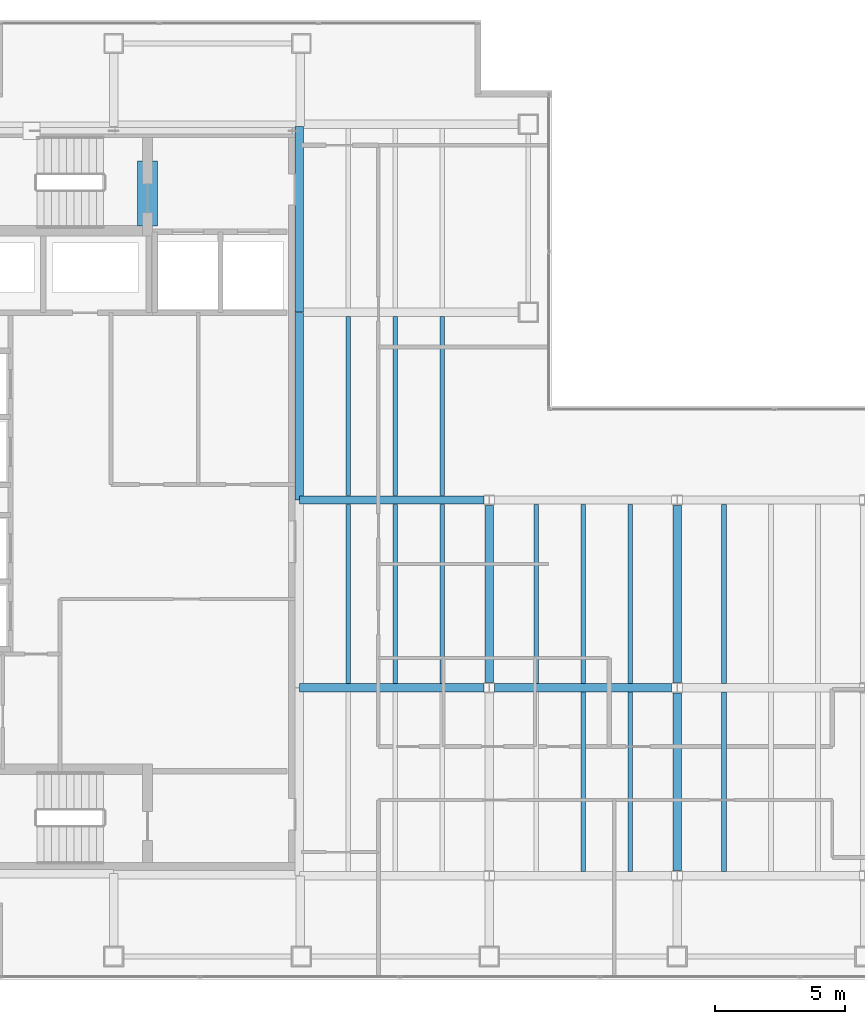
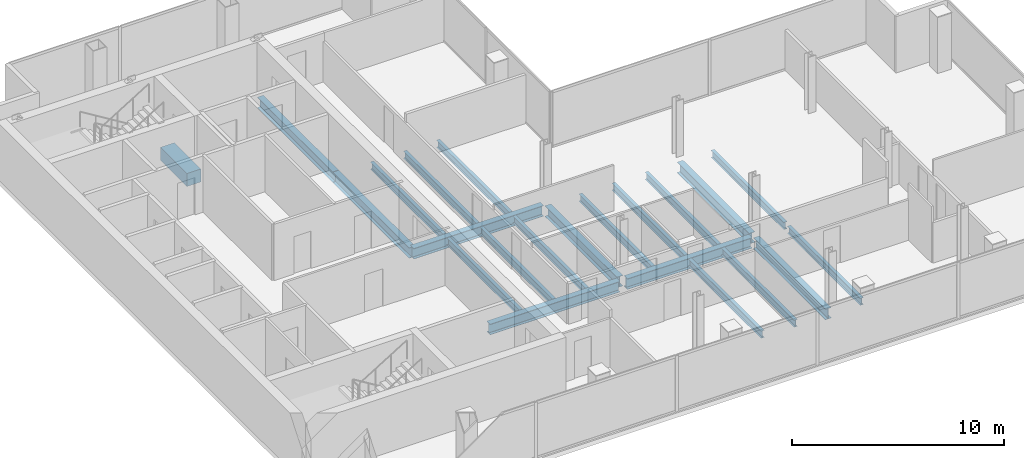
# One storey, part 7 of 23: 22 beams.
"""IFC4 building model written with IfcOpenShell, lengths in metres."""

from ifc_helpers import new_model, si_unit, direction, frame, origin, origin_2d, place, context, subcontext, project, spatial, rectangle, i_section, extrude, material, material_profile, profile_set, type_object, element, save


model = new_model("IFC4")

# Units and contexts
model_context = context("Model", 3, precision=1e-05, world=origin(), true_north=direction((0.0, 1.0)))
body_context = subcontext(model_context, "Body", "Model", "MODEL_VIEW")
ifc_project = project(units=[si_unit("LENGTHUNIT", "METRE"), si_unit("AREAUNIT", "SQUARE_METRE"), si_unit("VOLUMEUNIT", "CUBIC_METRE"), si_unit("PLANEANGLEUNIT", "RADIAN"), si_unit("MASSUNIT", "GRAM", prefix="KILO")], contexts=[model_context])

# Site, building, storey
site_placement = place(None, origin())
site = spatial("IfcSite", under=ifc_project, at=site_placement, CompositionType="ELEMENT")
building_placement = place(site_placement, origin())
building = spatial("IfcBuilding", under=site, at=building_placement, Name="Cobrela Telecom Tower", CompositionType="ELEMENT")
storey_placement = place(building_placement, frame((0.0, 0.0, 229.25)))
storey = spatial("IfcBuildingStorey", under=building, at=storey_placement, Name="L59", CompositionType="ELEMENT", Elevation=229.25)

# Beams
ifc_material_1 = material(Name="Concrete C40/50", Category="concrete")
ifc_material_profile_1 = material_profile(ifc_material_1, rectangle(XDim=0.75, YDim=0.75, at=origin_2d()), Name="RC 750x750")
ifc_profile_set_1 = profile_set([ifc_material_profile_1], Name="Concrete C40/50")
beam_type_1 = type_object("IfcBeamType", Name="BM-COUP-RC", PredefinedType="LINTEL", material=ifc_profile_set_1)
beam_1_placement = place(storey_placement, frame((8.5, 32.10009765625, -0.610107421875), z_axis=(0.0, 1.0, 0.0), x_axis=(-1.0, 0.0, 0.0)))
element("IfcBeam", 1, at=beam_1_placement, inside=storey, type_object=beam_type_1, Name="L59 Core Coupling Lintel Beam", PredefinedType="LINTEL", context=body_context, shape_type="SweptSolid", body=[
    extrude(rectangle(XDim=0.75, YDim=0.75, at=origin_2d()), origin(), (0.0, 0.0, 1.0), 2.5),
])
ifc_material_2 = material(Name="Steel ASTM A992 Grade 50", Category="steel")
ifc_material_profile_2 = material_profile(ifc_material_2, i_section(OverallWidth=0.324951171875, OverallDepth=0.612060546875, WebThickness=0.0126953125, FlangeThickness=0.01904296875, FilletRadius=0.014892578125, at=origin_2d()), Name="W24X104")
ifc_profile_set_2 = profile_set([ifc_material_profile_2], Name="Steel ASTM A992 Grade 50")
beam_type_2 = type_object("IfcBeamType", Name="BM-GIRD-07", PredefinedType="USERDEFINED", material=ifc_profile_set_2)
beam_2_placement = place(storey_placement, frame((14.324951171875, 14.39990234375, -0.56591796875), z_axis=(1.0, 0.0, 0.0), x_axis=(0.0, 1.0, 0.0)))
element("IfcBeam", 2, at=beam_2_placement, inside=storey, type_object=beam_type_2, Name="L59 Primary Girder X11", ObjectType="GIRDER", PredefinedType="USERDEFINED", context=body_context, shape_type="SweptSolid", body=[
    extrude(i_section(OverallWidth=0.324951171875, OverallDepth=0.612060546875, WebThickness=0.0126953125, FlangeThickness=0.01904296875, FilletRadius=0.014892578125, at=origin_2d()), origin(), (0.0, 0.0, 1.0), 7.070556640625),
])
beam_3_placement = place(storey_placement, frame((21.804443359375, 14.39990234375, -0.56591796875), z_axis=(1.0, 0.0, 0.0), x_axis=(0.0, 1.0, 0.0)))
element("IfcBeam", 3, at=beam_3_placement, inside=storey, type_object=beam_type_2, Name="L59 Primary Girder X12", ObjectType="GIRDER", PredefinedType="USERDEFINED", context=body_context, shape_type="SweptSolid", body=[
    extrude(i_section(OverallWidth=0.324951171875, OverallDepth=0.612060546875, WebThickness=0.0126953125, FlangeThickness=0.01904296875, FilletRadius=0.014892578125, at=origin_2d()), origin(), (0.0, 0.0, 1.0), 6.791015625),
])
beam_4_placement = place(storey_placement, frame((14.324951171875, 21.60009765625, -0.56591796875), z_axis=(1.0, 0.0, 0.0), x_axis=(0.0, 1.0, 0.0)))
element("IfcBeam", 4, at=beam_4_placement, inside=storey, type_object=beam_type_2, Name="L59 Primary Girder X15", ObjectType="GIRDER", PredefinedType="USERDEFINED", context=body_context, shape_type="SweptSolid", body=[
    extrude(i_section(OverallWidth=0.324951171875, OverallDepth=0.612060546875, WebThickness=0.0126953125, FlangeThickness=0.01904296875, FilletRadius=0.014892578125, at=origin_2d()), origin(), (0.0, 0.0, 1.0), 7.070556640625),
])
beam_5_placement = place(storey_placement, frame((14.320068359375, 21.60498046875, -0.56591796875), z_axis=(0.0, 1.0, 0.0), x_axis=(-1.0, 0.0, 0.0)))
element("IfcBeam", 5, at=beam_5_placement, inside=storey, type_object=beam_type_2, Name="L59 Primary Girder Y29", ObjectType="GIRDER", PredefinedType="USERDEFINED", context=body_context, shape_type="SweptSolid", body=[
    extrude(i_section(OverallWidth=0.324951171875, OverallDepth=0.612060546875, WebThickness=0.0126953125, FlangeThickness=0.01904296875, FilletRadius=0.014892578125, at=origin_2d()), origin(), (0.0, 0.0, 1.0), 7.18994140625),
])
beam_6_placement = place(storey_placement, frame((14.320068359375, 28.804931640625, -0.56591796875), z_axis=(0.0, 1.0, 0.0), x_axis=(-1.0, 0.0, 0.0)))
element("IfcBeam", 6, at=beam_6_placement, inside=storey, type_object=beam_type_2, Name="L59 Primary Girder Y30", ObjectType="GIRDER", PredefinedType="USERDEFINED", context=body_context, shape_type="SweptSolid", body=[
    extrude(i_section(OverallWidth=0.324951171875, OverallDepth=0.612060546875, WebThickness=0.0126953125, FlangeThickness=0.01904296875, FilletRadius=0.014892578125, at=origin_2d()), origin(), (0.0, 0.0, 1.0), 7.110107421875),
])
for number, where, z_axis, x_axis, name in (
    (7, (21.60009765625, 14.6044921875, -0.56591796875), (0.0, 1.0, 0.0), (-1.0, 0.0, 0.0), "L59 Primary Girder Y34"),
    (8, (28.800048828125, 7.404541015625, -0.56591796875), (0.0, 1.0, 0.0), (-1.0, 0.0, 0.0), "L59 Primary Girder Y37"),
    (9, (28.800048828125, 14.6044921875, -0.56591796875), (0.0, 1.0, 0.0), (-1.0, 0.0, 0.0), "L59 Primary Girder Y38"),
):
    element("IfcBeam", number, at=place(storey_placement, frame(where, z_axis=z_axis, x_axis=x_axis)), inside=storey, type_object=beam_type_2, Name=name, ObjectType="GIRDER", PredefinedType="USERDEFINED", context=body_context, shape_type="SweptSolid", body=[
        extrude(i_section(OverallWidth=0.324951171875, OverallDepth=0.612060546875, WebThickness=0.0126953125, FlangeThickness=0.01904296875, FilletRadius=0.014892578125, at=origin_2d()), origin(), (0.0, 0.0, 1.0), 6.791015625),
    ])
ifc_material_profile_3 = material_profile(ifc_material_2, i_section(OverallWidth=0.179931640625, OverallDepth=0.4169921875, WebThickness=0.010986328125, FlangeThickness=0.01806640625, FilletRadius=0.011962890625, at=origin_2d()), Name="W16X57")
ifc_profile_set_3 = profile_set([ifc_material_profile_3], Name="Steel ASTM A992 Grade 50")
beam_type_3 = type_object("IfcBeamType", Name="BM-JOIST-04", PredefinedType="JOIST", material=ifc_profile_set_3)
beam_7_placement = place(storey_placement, frame((16.199951171875, 14.5673828125, -0.468505859375), z_axis=(0.0, 1.0, 0.0), x_axis=(-1.0, 0.0, 0.0)))
element("IfcBeam", 10, at=beam_7_placement, inside=storey, type_object=beam_type_3, Name="L59 Secondary Composite Floor Beam J02", PredefinedType="JOIST", context=body_context, shape_type="SweptSolid", body=[
    extrude(i_section(OverallWidth=0.179931640625, OverallDepth=0.4169921875, WebThickness=0.010986328125, FlangeThickness=0.01806640625, FilletRadius=0.011962890625, at=origin_2d()), origin(), (0.0, 0.0, 1.0), 6.865234375),
])
beam_8_placement = place(storey_placement, frame((16.199951171875, 21.767578125, -0.468505859375), z_axis=(0.0, 1.0, 0.0), x_axis=(-1.0, 0.0, 0.0)))
element("IfcBeam", 11, at=beam_8_placement, inside=storey, type_object=beam_type_3, Name="L59 Secondary Composite Floor Beam J03", PredefinedType="JOIST", context=body_context, shape_type="SweptSolid", body=[
    extrude(i_section(OverallWidth=0.179931640625, OverallDepth=0.4169921875, WebThickness=0.010986328125, FlangeThickness=0.01806640625, FilletRadius=0.011962890625, at=origin_2d()), origin(), (0.0, 0.0, 1.0), 6.864990234375),
])
beam_9_placement = place(storey_placement, frame((18.0, 14.5673828125, -0.468505859375), z_axis=(0.0, 1.0, 0.0), x_axis=(-1.0, 0.0, 0.0)))
element("IfcBeam", 12, at=beam_9_placement, inside=storey, type_object=beam_type_3, Name="L59 Secondary Composite Floor Beam J06", PredefinedType="JOIST", context=body_context, shape_type="SweptSolid", body=[
    extrude(i_section(OverallWidth=0.179931640625, OverallDepth=0.4169921875, WebThickness=0.010986328125, FlangeThickness=0.01806640625, FilletRadius=0.011962890625, at=origin_2d()), origin(), (0.0, 0.0, 1.0), 6.865234375),
])
beam_10_placement = place(storey_placement, frame((18.0, 21.767578125, -0.468505859375), z_axis=(0.0, 1.0, 0.0), x_axis=(-1.0, 0.0, 0.0)))
element("IfcBeam", 13, at=beam_10_placement, inside=storey, type_object=beam_type_3, Name="L59 Secondary Composite Floor Beam J07", PredefinedType="JOIST", context=body_context, shape_type="SweptSolid", body=[
    extrude(i_section(OverallWidth=0.179931640625, OverallDepth=0.4169921875, WebThickness=0.010986328125, FlangeThickness=0.01806640625, FilletRadius=0.011962890625, at=origin_2d()), origin(), (0.0, 0.0, 1.0), 6.864990234375),
])
beam_11_placement = place(storey_placement, frame((19.800048828125, 14.5673828125, -0.468505859375), z_axis=(0.0, 1.0, 0.0), x_axis=(-1.0, 0.0, 0.0)))
element("IfcBeam", 14, at=beam_11_placement, inside=storey, type_object=beam_type_3, Name="L59 Secondary Composite Floor Beam J10", PredefinedType="JOIST", context=body_context, shape_type="SweptSolid", body=[
    extrude(i_section(OverallWidth=0.179931640625, OverallDepth=0.4169921875, WebThickness=0.010986328125, FlangeThickness=0.01806640625, FilletRadius=0.011962890625, at=origin_2d()), origin(), (0.0, 0.0, 1.0), 6.865234375),
])
beam_12_placement = place(storey_placement, frame((19.800048828125, 21.767578125, -0.468505859375), z_axis=(0.0, 1.0, 0.0), x_axis=(-1.0, 0.0, 0.0)))
element("IfcBeam", 15, at=beam_12_placement, inside=storey, type_object=beam_type_3, Name="L59 Secondary Composite Floor Beam J11", PredefinedType="JOIST", context=body_context, shape_type="SweptSolid", body=[
    extrude(i_section(OverallWidth=0.179931640625, OverallDepth=0.4169921875, WebThickness=0.010986328125, FlangeThickness=0.01806640625, FilletRadius=0.011962890625, at=origin_2d()), origin(), (0.0, 0.0, 1.0), 6.864990234375),
])
beam_13_placement = place(storey_placement, frame((23.39990234375, 14.5673828125, -0.468505859375), z_axis=(0.0, 1.0, 0.0), x_axis=(-1.0, 0.0, 0.0)))
element("IfcBeam", 16, at=beam_13_placement, inside=storey, type_object=beam_type_3, Name="L59 Secondary Composite Floor Beam J14", PredefinedType="JOIST", context=body_context, shape_type="SweptSolid", body=[
    extrude(i_section(OverallWidth=0.179931640625, OverallDepth=0.4169921875, WebThickness=0.010986328125, FlangeThickness=0.01806640625, FilletRadius=0.011962890625, at=origin_2d()), origin(), (0.0, 0.0, 1.0), 6.865234375),
])
beam_14_placement = place(storey_placement, frame((25.199951171875, 7.367431640625, -0.468505859375), z_axis=(0.0, 1.0, 0.0), x_axis=(-1.0, 0.0, 0.0)))
element("IfcBeam", 17, at=beam_14_placement, inside=storey, type_object=beam_type_3, Name="L59 Secondary Composite Floor Beam J15", PredefinedType="JOIST", context=body_context, shape_type="SweptSolid", body=[
    extrude(i_section(OverallWidth=0.179931640625, OverallDepth=0.4169921875, WebThickness=0.010986328125, FlangeThickness=0.01806640625, FilletRadius=0.011962890625, at=origin_2d()), origin(), (0.0, 0.0, 1.0), 6.864990234375),
])
beam_15_placement = place(storey_placement, frame((25.199951171875, 14.5673828125, -0.468505859375), z_axis=(0.0, 1.0, 0.0), x_axis=(-1.0, 0.0, 0.0)))
element("IfcBeam", 18, at=beam_15_placement, inside=storey, type_object=beam_type_3, Name="L59 Secondary Composite Floor Beam J16", PredefinedType="JOIST", context=body_context, shape_type="SweptSolid", body=[
    extrude(i_section(OverallWidth=0.179931640625, OverallDepth=0.4169921875, WebThickness=0.010986328125, FlangeThickness=0.01806640625, FilletRadius=0.011962890625, at=origin_2d()), origin(), (0.0, 0.0, 1.0), 6.865234375),
])
beam_16_placement = place(storey_placement, frame((27.0, 7.367431640625, -0.468505859375), z_axis=(0.0, 1.0, 0.0), x_axis=(-1.0, 0.0, 0.0)))
element("IfcBeam", 19, at=beam_16_placement, inside=storey, type_object=beam_type_3, Name="L59 Secondary Composite Floor Beam J17", PredefinedType="JOIST", context=body_context, shape_type="SweptSolid", body=[
    extrude(i_section(OverallWidth=0.179931640625, OverallDepth=0.4169921875, WebThickness=0.010986328125, FlangeThickness=0.01806640625, FilletRadius=0.011962890625, at=origin_2d()), origin(), (0.0, 0.0, 1.0), 6.864990234375),
])
beam_17_placement = place(storey_placement, frame((27.0, 14.5673828125, -0.468505859375), z_axis=(0.0, 1.0, 0.0), x_axis=(-1.0, 0.0, 0.0)))
element("IfcBeam", 20, at=beam_17_placement, inside=storey, type_object=beam_type_3, Name="L59 Secondary Composite Floor Beam J18", PredefinedType="JOIST", context=body_context, shape_type="SweptSolid", body=[
    extrude(i_section(OverallWidth=0.179931640625, OverallDepth=0.4169921875, WebThickness=0.010986328125, FlangeThickness=0.01806640625, FilletRadius=0.011962890625, at=origin_2d()), origin(), (0.0, 0.0, 1.0), 6.865234375),
])
beam_18_placement = place(storey_placement, frame((30.60009765625, 7.367431640625, -0.468505859375), z_axis=(0.0, 1.0, 0.0), x_axis=(-1.0, 0.0, 0.0)))
element("IfcBeam", 21, at=beam_18_placement, inside=storey, type_object=beam_type_3, Name="L59 Secondary Composite Floor Beam J19", PredefinedType="JOIST", context=body_context, shape_type="SweptSolid", body=[
    extrude(i_section(OverallWidth=0.179931640625, OverallDepth=0.4169921875, WebThickness=0.010986328125, FlangeThickness=0.01806640625, FilletRadius=0.011962890625, at=origin_2d()), origin(), (0.0, 0.0, 1.0), 6.864990234375),
])
beam_19_placement = place(storey_placement, frame((30.60009765625, 14.5673828125, -0.468505859375), z_axis=(0.0, 1.0, 0.0), x_axis=(-1.0, 0.0, 0.0)))
element("IfcBeam", 22, at=beam_19_placement, inside=storey, type_object=beam_type_3, Name="L59 Secondary Composite Floor Beam J20", PredefinedType="JOIST", context=body_context, shape_type="SweptSolid", body=[
    extrude(i_section(OverallWidth=0.179931640625, OverallDepth=0.4169921875, WebThickness=0.010986328125, FlangeThickness=0.01806640625, FilletRadius=0.011962890625, at=origin_2d()), origin(), (0.0, 0.0, 1.0), 6.865234375),
])

save(model, "model.ifc")
